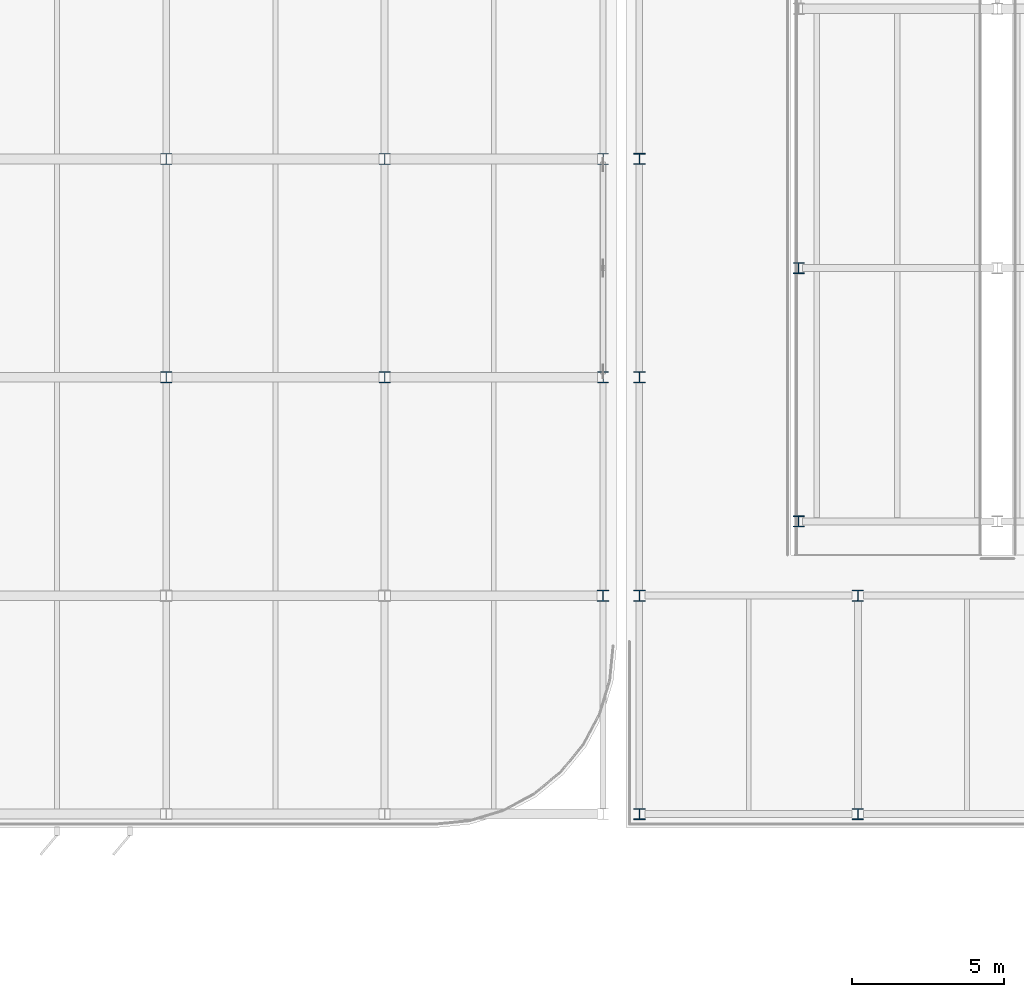
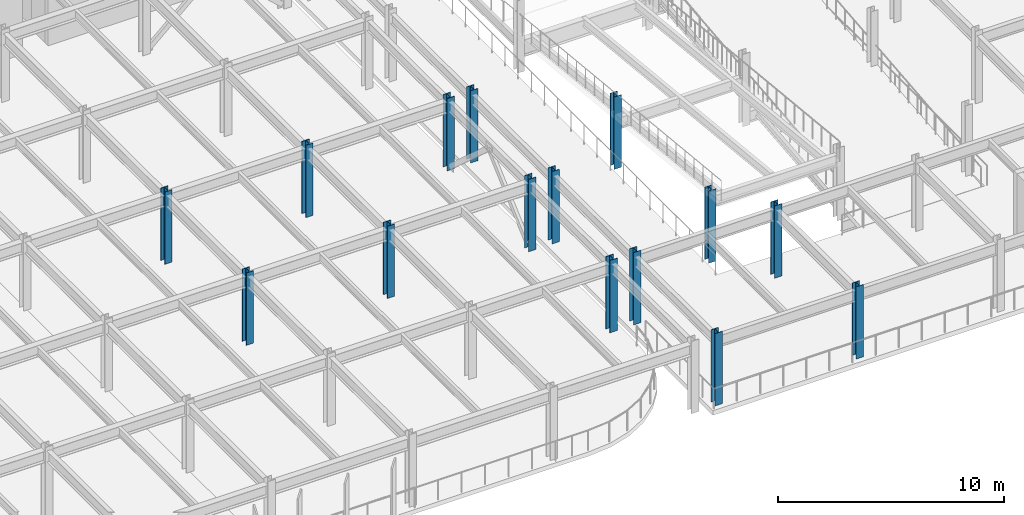
# One storey, part 6 of 80: 15 columns.
"""IFC4 building model written with IfcOpenShell, lengths in metres."""

from ifc_helpers import new_model, si_unit, direction, frame, origin, origin_2d, place, context, subcontext, project, spatial, i_section, extrude, material, material_profile, profile_set, type_object, element, save


model = new_model("IFC4")

# Units and contexts
model_context = context("Model", 3, precision=1e-05, world=origin(), true_north=direction((0.0, 1.0)))
body_context = subcontext(model_context, "Body", "Model", "MODEL_VIEW")
ifc_project = project(units=[si_unit("LENGTHUNIT", "METRE"), si_unit("AREAUNIT", "SQUARE_METRE"), si_unit("VOLUMEUNIT", "CUBIC_METRE"), si_unit("PLANEANGLEUNIT", "RADIAN"), si_unit("MASSUNIT", "GRAM", prefix="KILO")], contexts=[model_context])

# Site, building, storey
site_placement = place(None, origin())
site = spatial("IfcSite", under=ifc_project, at=site_placement, CompositionType="ELEMENT")
building_placement = place(site_placement, origin())
building = spatial("IfcBuilding", under=site, at=building_placement, Name="Vaelcorin Mobility Hub", CompositionType="ELEMENT")
storey_placement = place(building_placement, frame((0.0, 0.0, 9.300048828125)))
storey = spatial("IfcBuildingStorey", under=building, at=storey_placement, Name="L02", CompositionType="ELEMENT", Elevation=9.300048828125)

# Columns
ifc_material = material(Name="Steel ASTM A992 Grade 50", Category="steel")
ifc_material_profile_1 = material_profile(ifc_material, i_section(OverallWidth=0.37109375, OverallDepth=0.363037109375, WebThickness=0.01318359375, FlangeThickness=0.021728515625, FilletRadius=0.014892578125, at=origin_2d()), Name="W14X109")
ifc_profile_set_1 = profile_set([ifc_material_profile_1], Name="Steel ASTM A992 Grade 50")
column_type_1 = type_object("IfcColumnType", Name="COL-W14X109", PredefinedType="COLUMN", material=ifc_profile_set_1)
for number, where, z_axis, x_axis, name in (
    (1, (123.60009765625, 76.800048828125, 0.0), (0.0, 0.0, 1.0), (1.0, 0.0, 0.0), "Column V2E-G1x1 L02"),
    (2, (123.60009765625, 84.0, 0.0), (0.0, 0.0, 1.0), (1.0, 0.0, 0.0), "Column V2E-G1x2 L02"),
    (3, (123.60009765625, 91.199951171875, 0.0), (0.0, 0.0, 1.0), (1.0, 0.0, 0.0), "Column V2E-G1x3 L02"),
    (4, (123.60009765625, 98.39990234375, 0.0), (0.0, 0.0, 1.0), (1.0, 0.0, 0.0), "Column V2E-G1x4 L02"),
    (5, (130.800048828125, 76.800048828125, 0.0), (0.0, 0.0, 1.0), (1.0, 0.0, 0.0), "Column V2E-G2x1 L02"),
    (6, (130.800048828125, 84.0, 0.0), (0.0, 0.0, 1.0), (1.0, 0.0, 0.0), "Column V2E-G2x2 L02"),
):
    element("IfcColumn", number, at=place(storey_placement, frame(where, z_axis=z_axis, x_axis=x_axis)), inside=storey, type_object=column_type_1, Name=name, PredefinedType="COLUMN", context=body_context, shape_type="SweptSolid", body=[
        extrude(i_section(OverallWidth=0.37109375, OverallDepth=0.363037109375, WebThickness=0.01318359375, FlangeThickness=0.021728515625, FilletRadius=0.014892578125, at=origin_2d()), origin(), (0.0, 0.0, 1.0), 3.89990234375),
    ])
ifc_material_profile_2 = material_profile(ifc_material, i_section(OverallWidth=0.373046875, OverallDepth=0.373046875, WebThickness=0.016357421875, FlangeThickness=0.026123046875, FilletRadius=0.014892578125, at=origin_2d()), Name="W14X132")
ifc_profile_set_2 = profile_set([ifc_material_profile_2], Name="Steel ASTM A992 Grade 50")
column_type_2 = type_object("IfcColumnType", Name="COL-W14X132", PredefinedType="COLUMN", material=ifc_profile_set_2)
for number, where, z_axis, x_axis, name in (
    (7, (108.0, 91.199951171875, 0.0), (0.0, 0.0, 1.0), (1.0, 0.0, 0.0), "Column V4-X11Y03 L02"),
    (8, (108.0, 98.39990234375, 0.0), (0.0, 0.0, 1.0), (1.0, 0.0, 0.0), "Column V4-X11Y04 L02"),
    (9, (115.199951171875, 91.199951171875, 0.0), (0.0, 0.0, 1.0), (1.0, 0.0, 0.0), "Column V4-X12Y03 L02"),
    (10, (115.199951171875, 98.39990234375, 0.0), (0.0, 0.0, 1.0), (1.0, 0.0, 0.0), "Column V4-X12Y04 L02"),
    (11, (122.39990234375, 91.199951171875, 0.0), (0.0, 0.0, 1.0), (1.0, 0.0, 0.0), "Column V4-X13Y03 L02"),
    (12, (122.39990234375, 98.39990234375, 0.0), (0.0, 0.0, 1.0), (1.0, 0.0, 0.0), "Column V4-X13Y04 L02"),
):
    element("IfcColumn", number, at=place(storey_placement, frame(where, z_axis=z_axis, x_axis=x_axis)), inside=storey, type_object=column_type_2, Name=name, PredefinedType="COLUMN", context=body_context, shape_type="SweptSolid", body=[
        extrude(i_section(OverallWidth=0.373046875, OverallDepth=0.373046875, WebThickness=0.016357421875, FlangeThickness=0.026123046875, FilletRadius=0.014892578125, at=origin_2d()), origin(), (0.0, 0.0, 1.0), 3.89990234375),
    ])
ifc_material_profile_3 = material_profile(ifc_material, i_section(OverallWidth=0.39599609375, OverallDepth=0.381103515625, WebThickness=0.018798828125, FlangeThickness=0.0302734375, FilletRadius=0.014892578125, at=origin_2d()), Name="W14X159")
ifc_profile_set_3 = profile_set([ifc_material_profile_3], Name="Steel ASTM A992 Grade 50")
column_type_3 = type_object("IfcColumnType", Name="COL-W14X159", PredefinedType="COLUMN", material=ifc_profile_set_3)
column_placement = place(storey_placement, frame((122.39990234375, 84.0, 0.0), z_axis=(0.0, 0.0, 1.0), x_axis=(1.0, 0.0, 0.0)))
element("IfcColumn", 13, at=column_placement, inside=storey, type_object=column_type_3, Name="Column V4-X13Y02 L02", PredefinedType="COLUMN", context=body_context, shape_type="SweptSolid", body=[
    extrude(i_section(OverallWidth=0.39599609375, OverallDepth=0.381103515625, WebThickness=0.018798828125, FlangeThickness=0.0302734375, FilletRadius=0.014892578125, at=origin_2d()), origin(), (0.0, 0.0, 1.0), 3.89990234375),
])
ifc_material_profile_4 = material_profile(ifc_material, i_section(OverallWidth=0.367919921875, OverallDepth=0.35595703125, WebThickness=0.01123046875, FlangeThickness=0.01806640625, FilletRadius=0.014892578125, at=origin_2d()), Name="W14X90")
ifc_profile_set_4 = profile_set([ifc_material_profile_4], Name="Steel ASTM A992 Grade 50")
column_type_4 = type_object("IfcColumnType", Name="COL-W14X90", PredefinedType="COLUMN", material=ifc_profile_set_4)
for number, where, z_axis, x_axis, name in (
    (14, (128.85009765625, 86.449951171875, 0.0), (0.0, 0.0, 1.0), (1.0, 0.0, 0.0), "Column V2E-RDRM-WS L02"),
    (15, (128.85009765625, 94.800048828125, 0.0), (0.0, 0.0, 1.0), (1.0, 0.0, 0.0), "Column V2E-RDRM-WC L02"),
):
    element("IfcColumn", number, at=place(storey_placement, frame(where, z_axis=z_axis, x_axis=x_axis)), inside=storey, type_object=column_type_4, Name=name, PredefinedType="COLUMN", context=body_context, shape_type="SweptSolid", body=[
        extrude(i_section(OverallWidth=0.367919921875, OverallDepth=0.35595703125, WebThickness=0.01123046875, FlangeThickness=0.01806640625, FilletRadius=0.014892578125, at=origin_2d()), origin(), (0.0, 0.0, 1.0), 3.89990234375),
    ])

save(model, "model.ifc")
